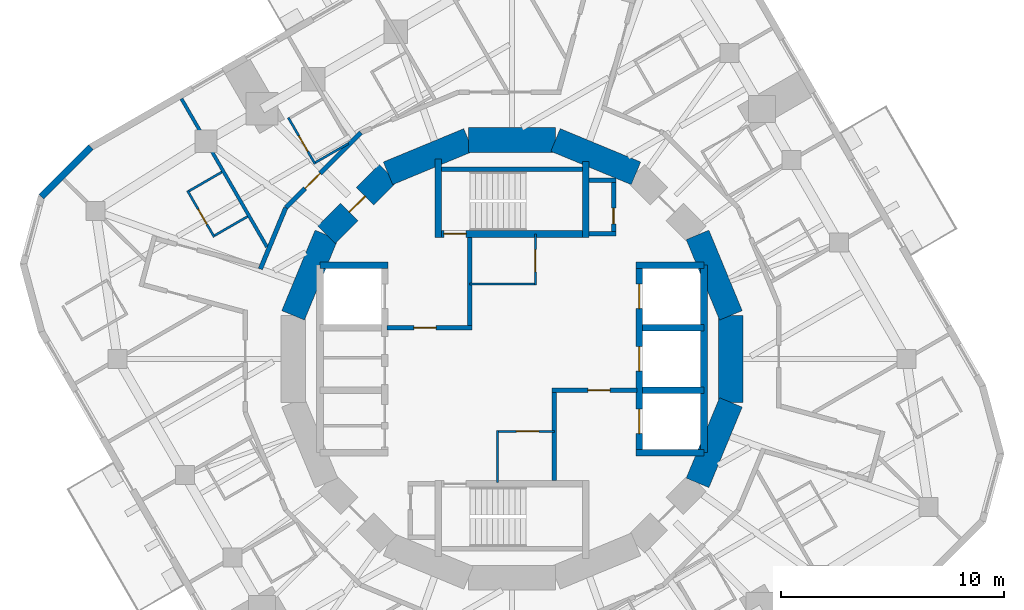
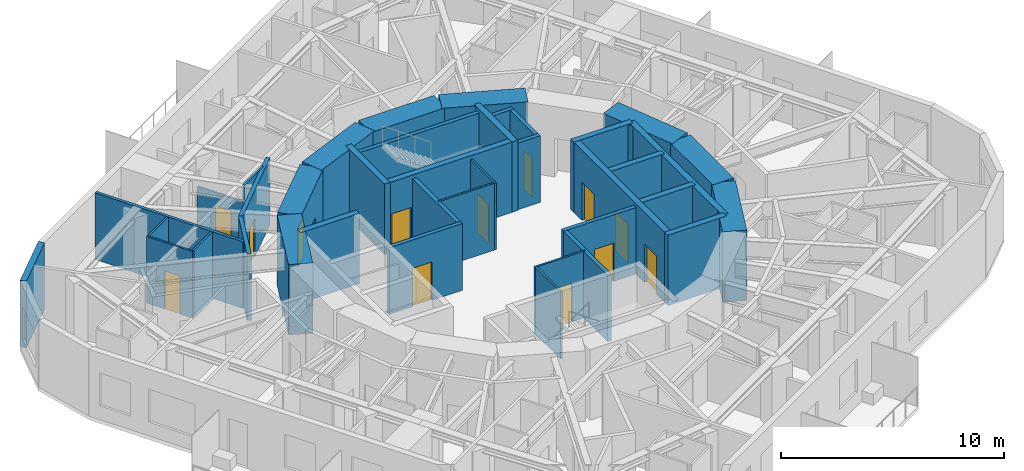
# One storey, part 6 of 11: 39 walls, 13 doors, 13 openings.
"""IFC4 building model written with IfcOpenShell, lengths in metres."""

import ifcopenshell
import ifcopenshell.guid

model = None  # the IFC model being written
_history = None  # IfcOwnerHistory: only IFC2X3 demands one
_inside = {}  # id of a spatial element -> (the spatial element, [elements in it])
_under = {}  # id of a project, library or spatial element -> (it, [spatial elements below it])
_declared = {}  # id of a project -> (the project, [libraries it declares])
_typed = {}  # id of a type object -> (the type object, [elements of that type])
_made_of = {}  # id of a material, layer set ... -> (it, [elements and type objects made of it])


def new_model(schema):
    """Start an empty IFC model of exactly this schema.

    Asked for "IFC4X3", IfcOpenShell would pick the latest addendum, in which some entities
    have other attributes; the version numbers below select the first issue.
    IFC2X3 requires an IfcOwnerHistory on every rooted entity: one is made here for all.
    """
    global model, _history
    if schema == "IFC4X3":
        model = ifcopenshell.file(schema_version=(4, 3, 0, 0))
    else:
        model = ifcopenshell.file(schema=schema)
    _inside.clear()
    _under.clear()
    _declared.clear()
    _typed.clear()
    _made_of.clear()
    _history = None
    if model.schema == "IFC2X3":
        org = make("IfcOrganization", Name="unknown")
        user = make(
            "IfcPersonAndOrganization",
            ThePerson=make("IfcPerson", FamilyName="unknown"),
            TheOrganization=org,
        )
        app = make(
            "IfcApplication",
            ApplicationDeveloper=org,
            Version="unknown",
            ApplicationFullName="unknown",
            ApplicationIdentifier="unknown",
        )
        _history = make(
            "IfcOwnerHistory",
            OwningUser=user,
            OwningApplication=app,
            ChangeAction="ADDED",
            CreationDate=0,
        )
    return model


def make(cls, **values):
    """One entity of the class cls with the attributes given. An attribute that is None is left unset."""
    return model.create_entity(
        cls, **{name: value for name, value in values.items() if value is not None}
    )


def rooted(cls, **values):
    """An entity with a GlobalId (a new one), such as an element, a storey or a relation."""
    return make(cls, GlobalId=ifcopenshell.guid.new(), OwnerHistory=_history, **values)


def si_unit(unit_type, name, prefix=None):
    """IfcSIUnit, for example si_unit("LENGTHUNIT", "METRE", prefix="MILLI")."""
    return make("IfcSIUnit", UnitType=unit_type, Prefix=prefix, Name=name)


def assignment(units):
    """IfcUnitAssignment: the units of a project."""
    return None if units is None else make("IfcUnitAssignment", Units=units)


def point(xyz):
    """IfcCartesianPoint."""
    return None if xyz is None else make("IfcCartesianPoint", Coordinates=xyz)


def direction(xyz):
    """IfcDirection."""
    return None if xyz is None else make("IfcDirection", DirectionRatios=xyz)


def frame(location, z_axis=None, x_axis=None):
    """IfcAxis2Placement3D, a coordinate frame: its origin and axes. An axis left out is left unset."""
    return make(
        "IfcAxis2Placement3D",
        Location=point(location),
        Axis=direction(z_axis),
        RefDirection=direction(x_axis),
    )


def frame_2d(location, x_axis=None):
    """IfcAxis2Placement2D, a coordinate frame in the plane: its origin and x axis."""
    return make(
        "IfcAxis2Placement2D", Location=point(location), RefDirection=direction(x_axis)
    )


def origin():
    """The frame at (0, 0, 0) with its axes left unset."""
    return frame((0.0, 0.0, 0.0))


def place(relative_to, where):
    """IfcLocalPlacement: puts the frame where relative to a parent placement (None: the world)."""
    return make(
        "IfcLocalPlacement", PlacementRelTo=relative_to, RelativePlacement=where
    )


def context(
    kind, dimensions, precision=None, world=None, true_north=None, identifier=None
):
    """IfcGeometricRepresentationContext, for example the 3D "Model" context."""
    return make(
        "IfcGeometricRepresentationContext",
        ContextIdentifier=identifier,
        ContextType=kind,
        CoordinateSpaceDimension=dimensions,
        Precision=precision,
        WorldCoordinateSystem=world,
        TrueNorth=true_north,
    )


def subcontext(parent, identifier, kind, view, scale=None):
    """IfcGeometricRepresentationSubContext, for example "Body" below "Model"."""
    return make(
        "IfcGeometricRepresentationSubContext",
        ContextIdentifier=identifier,
        ContextType=kind,
        ParentContext=parent,
        TargetScale=scale,
        TargetView=view,
    )


def project(units=None, contexts=None):
    """IfcProject with its units and contexts."""
    return rooted(
        "IfcProject",
        Name="project",
        RepresentationContexts=contexts,
        UnitsInContext=assignment(units),
    )


def spatial(cls, under=None, at=None, **own):
    """A site, building, storey or space (cls), placed at a placement, below another one or the project."""
    s = rooted(cls, ObjectPlacement=at, **own)
    if under is not None:
        _under.setdefault(under.id(), (under, []))[1].append(s)
    return s


def profile(cls, at=None, kind="AREA", **sizes):
    """A parametric profile (cls). Its sizes go by their IFC names, for example OverallWidth=200.0."""
    return make(cls, ProfileType=kind, Position=at, **sizes)


def rectangle(**sizes):
    """IfcRectangleProfileDef."""
    return profile("IfcRectangleProfileDef", **sizes)


def extrude(swept, where, along, depth):
    """IfcExtrudedAreaSolid: the profile swept, set in the frame where, extruded along a direction by depth."""
    return make(
        "IfcExtrudedAreaSolid",
        SweptArea=swept,
        Position=where,
        ExtrudedDirection=direction(along),
        Depth=depth,
    )


def shape(context_of_items, identifier, shape_type, items):
    """IfcShapeRepresentation: the items that make up one representation, for example the "Body"."""
    return make(
        "IfcShapeRepresentation",
        ContextOfItems=context_of_items,
        RepresentationIdentifier=identifier,
        RepresentationType=shape_type,
        Items=items,
    )


def material(Name=None, Category=None):
    """IfcMaterial."""
    return make("IfcMaterial", Name=Name, Category=Category)


def layer(
    of_material, thickness, ventilated=None, Name=None, Category=None, Priority=None
):
    """IfcMaterialLayer: one layer of a wall or slab, of a material (None: an air gap)."""
    return make(
        "IfcMaterialLayer",
        Material=of_material,
        LayerThickness=thickness,
        IsVentilated=ventilated,
        Name=Name,
        Category=Category,
        Priority=Priority,
    )


def layer_set(layers, Name=None):
    """IfcMaterialLayerSet."""
    return make("IfcMaterialLayerSet", MaterialLayers=layers, LayerSetName=Name)


def made_of(thing, what):
    """Note that an element or type object is made of a material, layer set ...; save() writes the relation."""
    if what is not None:
        _made_of.setdefault(what.id(), (what, []))[1].append(thing)
    return thing


def type_object(cls, material=None, **own):
    """A type object (cls), such as IfcWallType, which elements share."""
    return made_of(rooted(cls, **own), material)


def element(
    cls,
    number,
    at=None,
    inside=None,
    cuts=None,
    type_object=None,
    material=None,
    context=None,
    identifier="Body",
    shape_type=None,
    held_by="IfcProductDefinitionShape",
    body=None,
    shapes=None,
    **own,
):
    """One element of the class cls, such as IfcWall. Its Tag is "e" and its number.

    at: its placement. inside: the storey or other place that contains it. cuts: it is an
    opening in that element (IfcRelVoidsElement). A single representation is given by context,
    identifier, shape_type and body (its items); several are given by shapes. held_by: the class
    of the entity that holds the representations. save() writes the other relations.
    """
    e = rooted(cls, Tag="e%d" % number, ObjectPlacement=at, **own)
    if body is not None:
        shapes = [shape(context, identifier, shape_type, body)]
    if shapes is not None:
        e.Representation = make(held_by, Representations=shapes)
    if inside is not None:
        _inside.setdefault(inside.id(), (inside, []))[1].append(e)
    if cuts is not None:
        rooted(
            "IfcRelVoidsElement", RelatingBuildingElement=cuts, RelatedOpeningElement=e
        )
    if type_object is not None:
        _typed.setdefault(type_object.id(), (type_object, []))[1].append(e)
    return made_of(e, material)


def fill(opening, filler):
    """IfcRelFillsElement: the door or window that sits in an opening."""
    return rooted(
        "IfcRelFillsElement",
        RelatingOpeningElement=opening,
        RelatedBuildingElement=filler,
    )


def aggregate(whole, parts):
    """IfcRelAggregates: a whole, such as a stair, and the parts it consists of."""
    return rooted("IfcRelAggregates", RelatingObject=whole, RelatedObjects=parts)


def save(model, path):
    """Write the relations noted so far, then the file.

    IfcRelAggregates (storeys below a building ...), IfcRelContainedInSpatialStructure (elements
    in a storey), IfcRelDefinesByType, IfcRelAssociatesMaterial and IfcRelDeclares: one each for
    every whole, place, type object, material and project.
    """
    for whole, parts in _under.values():
        aggregate(whole, parts)
    for where, things in _inside.values():
        rooted(
            "IfcRelContainedInSpatialStructure",
            RelatedElements=things,
            RelatingStructure=where,
        )
    for kind, things in _typed.values():
        rooted("IfcRelDefinesByType", RelatedObjects=things, RelatingType=kind)
    for what, things in _made_of.values():
        rooted("IfcRelAssociatesMaterial", RelatedObjects=things, RelatingMaterial=what)
    for by, libraries in _declared.values():
        rooted("IfcRelDeclares", RelatingContext=by, RelatedDefinitions=libraries)
    model.write(path)


model = new_model("IFC4")

# Units and contexts
model_context = context("Model", 3, precision=1e-05, world=origin(), true_north=direction((0.0, 1.0)))
body_context = subcontext(model_context, "Body", "Model", "MODEL_VIEW")
ifc_project = project(units=[si_unit("LENGTHUNIT", "METRE"), si_unit("AREAUNIT", "SQUARE_METRE"), si_unit("VOLUMEUNIT", "CUBIC_METRE"), si_unit("PLANEANGLEUNIT", "RADIAN"), si_unit("MASSUNIT", "GRAM", prefix="KILO")], contexts=[model_context])

# Site, building, storey
site_placement = place(None, origin())
site = spatial("IfcSite", under=ifc_project, at=site_placement, CompositionType="ELEMENT")
building_placement = place(site_placement, origin())
building = spatial("IfcBuilding", under=site, at=building_placement, Name="Nakasero Lantern House", CompositionType="ELEMENT")
storey_placement = place(building_placement, frame((0.0, 0.0, 253.89990234375)))
storey = spatial("IfcBuildingStorey", under=building, at=storey_placement, Name="L62", CompositionType="ELEMENT", Elevation=253.89990234375)

# Wall, openings, doors
ifc_material_1 = material(Name="Concrete C50/60", Category="concrete")
ifc_layer_1 = layer(ifc_material_1, 0.300048828125)
ifc_layer_set_1 = layer_set([ifc_layer_1], Name="Core inner wall 300")
wall_type_1 = type_object("IfcWallType", Name="Core inner wall 300", PredefinedType="SHEAR", material=ifc_layer_set_1)
wall_1_placement = place(storey_placement, frame((5.699951171875, -4.199951171875, 0.0), z_axis=(0.0, 0.0, 1.0), x_axis=(0.0, 1.0, 0.0)))
wall_1 = element("IfcWall", 1, at=wall_1_placement, inside=storey, type_object=wall_type_1, Name="Core inner wall L62 LE", PredefinedType="SHEAR", context=body_context, shape_type="SweptSolid", body=[
    extrude(rectangle(XDim=8.39990234375, YDim=0.300048828125, at=frame_2d((4.199951171875, 0.0))), origin(), (0.0, 0.0, 1.0), 3.85009765625),
])
opening_1_placement = place(wall_1_placement, frame((0.85009765625, 0.0, 0.0)))
opening_1 = element("IfcOpeningElement", 2, at=opening_1_placement, cuts=wall_1, Name="Opening LD", PredefinedType="OPENING", context=body_context, shape_type="SweptSolid", body=[
    extrude(rectangle(XDim=1.10009765625, YDim=2.10009765625, at=frame_2d((0.550048828125, 1.050048828125))), frame((0.0, 0.169921875, 0.0), z_axis=(0.0, -1.0, 0.0), x_axis=(1.0, 0.0, 0.0)), (0.0, 0.0, 1.0), 0.340087890625),
])
opening_2_placement = place(wall_1_placement, frame((3.64990234375, 0.0, 0.0)))
opening_2 = element("IfcOpeningElement", 3, at=opening_2_placement, cuts=wall_1, Name="Opening LD", PredefinedType="OPENING", context=body_context, shape_type="SweptSolid", body=[
    extrude(rectangle(XDim=1.10009765625, YDim=2.10009765625, at=frame_2d((0.550048828125, 1.050048828125))), frame((0.0, 0.169921875, 0.0), z_axis=(0.0, -1.0, 0.0), x_axis=(1.0, 0.0, 0.0)), (0.0, 0.0, 1.0), 0.340087890625),
])
opening_3_placement = place(wall_1_placement, frame((6.449951171875, 0.0, 0.0)))
opening_3 = element("IfcOpeningElement", 4, at=opening_3_placement, cuts=wall_1, Name="Opening LD", PredefinedType="OPENING", context=body_context, shape_type="SweptSolid", body=[
    extrude(rectangle(XDim=1.10009765625, YDim=2.10009765625, at=frame_2d((0.550048828125, 1.050048828125))), frame((0.0, 0.169921875, 0.0), z_axis=(0.0, -1.0, 0.0), x_axis=(1.0, 0.0, 0.0)), (0.0, 0.0, 1.0), 0.340087890625),
])
ifc_material_2 = material(Name="Steel S355", Category="steel")
door_type_1 = type_object("IfcDoorType", Name="Lift landing door E120 1100", OperationType="SLIDING_TO_LEFT", PredefinedType="DOOR", material=ifc_material_2)
door_1_placement = place(opening_1_placement, origin())
door_1 = element("IfcDoor", 5, at=door_1_placement, inside=storey, type_object=door_type_1, Name="Lift landing door LE1", OperationType="SLIDING_TO_LEFT", OverallHeight=2.10009765625, OverallWidth=1.10009765625, PredefinedType="DOOR", context=body_context, shape_type="SweptSolid", body=[
    extrude(rectangle(XDim=1.10009765625, YDim=2.10009765625, at=frame_2d((0.550048828125, 1.050048828125))), frame((0.0, 0.02490234375, 0.0), z_axis=(0.0, -1.0, 0.0), x_axis=(1.0, 0.0, 0.0)), (0.0, 0.0, 1.0), 0.050048828125),
])
fill(opening_1, door_1)
door_2_placement = place(opening_2_placement, origin())
door_2 = element("IfcDoor", 6, at=door_2_placement, inside=storey, type_object=door_type_1, Name="Lift landing door LE2", OperationType="SLIDING_TO_LEFT", OverallHeight=2.10009765625, OverallWidth=1.10009765625, PredefinedType="DOOR", context=body_context, shape_type="SweptSolid", body=[
    extrude(rectangle(XDim=1.10009765625, YDim=2.10009765625, at=frame_2d((0.550048828125, 1.050048828125))), frame((0.0, 0.02490234375, 0.0), z_axis=(0.0, -1.0, 0.0), x_axis=(1.0, 0.0, 0.0)), (0.0, 0.0, 1.0), 0.050048828125),
])
fill(opening_2, door_2)
door_3_placement = place(opening_3_placement, origin())
door_3 = element("IfcDoor", 7, at=door_3_placement, inside=storey, type_object=door_type_1, Name="Lift landing door LE3", OperationType="SLIDING_TO_LEFT", OverallHeight=2.10009765625, OverallWidth=1.10009765625, PredefinedType="DOOR", context=body_context, shape_type="SweptSolid", body=[
    extrude(rectangle(XDim=1.10009765625, YDim=2.10009765625, at=frame_2d((0.550048828125, 1.050048828125))), frame((0.0, 0.02490234375, 0.0), z_axis=(0.0, -1.0, 0.0), x_axis=(1.0, 0.0, 0.0)), (0.0, 0.0, 1.0), 0.050048828125),
])
fill(opening_3, door_3)

# Walls
for number, where, z_axis, x_axis, name in (
    (8, (-8.60009765625, 4.199951171875, 0.0), (0.0, 0.0, 1.0), (1.0, 0.0, 0.0), "Core inner wall L62 LWN"),
    (9, (5.550048828125, 4.199951171875, 0.0), (0.0, 0.0, 1.0), (1.0, 0.0, 0.0), "Core inner wall L62 LEN"),
    (10, (5.550048828125, -4.199951171875, 0.0), (0.0, 0.0, 1.0), (1.0, 0.0, 0.0), "Core inner wall L62 LES"),
):
    element("IfcWall", number, at=place(storey_placement, frame(where, z_axis=z_axis, x_axis=x_axis)), inside=storey, type_object=wall_type_1, Name=name, PredefinedType="SHEAR", context=body_context, shape_type="SweptSolid", body=[
        extrude(rectangle(XDim=3.050048828125, YDim=0.300048828125, at=frame_2d((1.52490234375, 0.0))), origin(), (0.0, 0.0, 1.0), 3.85009765625),
    ])
wall_2_placement = place(storey_placement, frame((8.60009765625, -4.199951171875, 0.0), z_axis=(0.0, 0.0, 1.0), x_axis=(0.0, 1.0, 0.0)))
element("IfcWall", 11, at=wall_2_placement, inside=storey, type_object=wall_type_1, Name="Core inner wall L62 LEB", PredefinedType="SHEAR", context=body_context, shape_type="SweptSolid", body=[
    extrude(rectangle(XDim=8.39990234375, YDim=0.300048828125, at=frame_2d((4.199951171875, 0.0))), origin(), (0.0, 0.0, 1.0), 3.85009765625),
])
for number, where, z_axis, x_axis, name in (
    (12, (5.85009765625, -1.39990234375, 0.0), (0.0, 0.0, 1.0), (1.0, 0.0, 0.0), "Core inner wall L62 LE1"),
    (13, (5.85009765625, 1.39990234375, 0.0), (0.0, 0.0, 1.0), (1.0, 0.0, 0.0), "Core inner wall L62 LE2"),
):
    element("IfcWall", number, at=place(storey_placement, frame(where, z_axis=z_axis, x_axis=x_axis)), inside=storey, type_object=wall_type_1, Name=name, PredefinedType="SHEAR", context=body_context, shape_type="SweptSolid", body=[
        extrude(rectangle(XDim=2.75, YDim=0.300048828125, at=frame_2d((1.375, 0.0))), origin(), (0.0, 0.0, 1.0), 3.85009765625),
    ])

# Wall, opening, door
wall_3_placement = place(storey_placement, frame((-3.449951171875, 5.60009765625, 0.0), z_axis=(0.0, 0.0, 1.0), x_axis=(1.0, 0.0, 0.0)))
wall_3 = element("IfcWall", 14, at=wall_3_placement, inside=storey, type_object=wall_type_1, Name="Core inner wall L62 SN", PredefinedType="SHEAR", context=body_context, shape_type="SweptSolid", body=[
    extrude(rectangle(XDim=6.89990234375, YDim=0.300048828125, at=frame_2d((3.449951171875, 0.0))), origin(), (0.0, 0.0, 1.0), 3.85009765625),
])
opening_4_placement = place(wall_3_placement, frame((0.39990234375, 0.0, 0.0)))
opening_4 = element("IfcOpeningElement", 15, at=opening_4_placement, cuts=wall_3, Name="Opening D05", PredefinedType="OPENING", context=body_context, shape_type="SweptSolid", body=[
    extrude(rectangle(XDim=1.0, YDim=2.10009765625, at=frame_2d((0.5, 1.050048828125))), frame((0.0, 0.169921875, 0.0), z_axis=(0.0, -1.0, 0.0), x_axis=(1.0, 0.0, 0.0)), (0.0, 0.0, 1.0), 0.340087890625),
])
ifc_material_3 = material(Name="Timber C24", Category="wood")
door_type_2 = type_object("IfcDoorType", Name="Core door FD60S 1000", OperationType="SINGLE_SWING_LEFT", PredefinedType="DOOR", material=ifc_material_3)
door_4_placement = place(opening_4_placement, origin())
door_4 = element("IfcDoor", 16, at=door_4_placement, inside=storey, type_object=door_type_2, Name="Door L62 D-ST1", OperationType="SINGLE_SWING_LEFT", OverallHeight=2.10009765625, OverallWidth=1.0, PredefinedType="DOOR", context=body_context, shape_type="SweptSolid", body=[
    extrude(rectangle(XDim=1.0, YDim=2.10009765625, at=frame_2d((0.5, 1.050048828125))), frame((0.0, 0.02490234375, 0.0), z_axis=(0.0, -1.0, 0.0), x_axis=(1.0, 0.0, 0.0)), (0.0, 0.0, 1.0), 0.050048828125),
])
fill(opening_4, door_4)

# Walls
wall_4_placement = place(storey_placement, frame((-3.300048828125, 5.449951171875, 0.0), z_axis=(0.0, 0.0, 1.0), x_axis=(0.0, 1.0, 0.0)))
element("IfcWall", 17, at=wall_4_placement, inside=storey, type_object=wall_type_1, Name="Core inner wall L62 SNW", PredefinedType="SHEAR", context=body_context, shape_type="SweptSolid", body=[
    extrude(rectangle(XDim=3.5, YDim=0.300048828125, at=frame_2d((1.75, 0.0))), origin(), (0.0, 0.0, 1.0), 3.85009765625),
])
wall_5_placement = place(storey_placement, frame((3.300048828125, 5.449951171875, 0.0), z_axis=(0.0, 0.0, 1.0), x_axis=(0.0, 1.0, 0.0)))
element("IfcWall", 18, at=wall_5_placement, inside=storey, type_object=wall_type_1, Name="Core inner wall L62 SNE", PredefinedType="SHEAR", context=body_context, shape_type="SweptSolid", body=[
    extrude(rectangle(XDim=3.400146484375, YDim=0.300048828125, at=frame_2d((1.7001953125, 0.0))), origin(), (0.0, 0.0, 1.0), 3.85009765625),
])
ifc_material_4 = material(Name="Blockwork", Category="masonry")
ifc_layer_2 = layer(ifc_material_4, 0.10009765625)
ifc_layer_set_2 = layer_set([ifc_layer_2], Name="Core room wall 100")
wall_type_2 = type_object("IfcWallType", Name="Core room wall 100", PredefinedType="PARTITIONING", material=ifc_layer_set_2)
wall_6_placement = place(storey_placement, frame((-1.89990234375, 3.35009765625, 0.0), z_axis=(0.0, 0.0, 1.0), x_axis=(1.0, 0.0, 0.0)))
element("IfcWall", 19, at=wall_6_placement, inside=storey, type_object=wall_type_2, Name="Core room wall L62 CR-NES", PredefinedType="PARTITIONING", context=body_context, shape_type="SweptSolid", body=[
    extrude(rectangle(XDim=3.0, YDim=0.10009765625, at=frame_2d((1.5, 0.0))), origin(), (0.0, 0.0, 1.0), 3.650146484375),
])

# Wall, opening, door
wall_7_placement = place(storey_placement, frame((1.050048828125, 3.300048828125, 0.0), z_axis=(0.0, 0.0, 1.0), x_axis=(0.0, 1.0, 0.0)))
wall_7 = element("IfcWall", 20, at=wall_7_placement, inside=storey, type_object=wall_type_2, Name="Core room wall L62 CR-NEE", PredefinedType="PARTITIONING", context=body_context, shape_type="SweptSolid", body=[
    extrude(rectangle(XDim=2.300048828125, YDim=0.10009765625, at=frame_2d((1.14990234375, 0.0))), origin(), (0.0, 0.0, 1.0), 3.650146484375),
])
opening_5_placement = place(wall_7_placement, frame((0.60009765625, 0.0, 0.0)))
opening_5 = element("IfcOpeningElement", 21, at=opening_5_placement, cuts=wall_7, Name="Opening D13", PredefinedType="OPENING", context=body_context, shape_type="SweptSolid", body=[
    extrude(rectangle(XDim=1.0, YDim=2.10009765625, at=frame_2d((0.5, 1.050048828125))), frame((0.0, 0.070068359375, 0.0), z_axis=(0.0, -1.0, 0.0), x_axis=(1.0, 0.0, 0.0)), (0.0, 0.0, 1.0), 0.14013671875),
])
ifc_material_5 = material(Name="Steel S355", Category="steel")
door_type_3 = type_object("IfcDoorType", Name="Plant room door FD60 1000", OperationType="SINGLE_SWING_LEFT", PredefinedType="DOOR", material=ifc_material_5)
door_5_placement = place(opening_5_placement, origin())
door_5 = element("IfcDoor", 22, at=door_5_placement, inside=storey, type_object=door_type_3, Name="Door L62 D-CR-NE", OperationType="SINGLE_SWING_LEFT", OverallHeight=2.10009765625, OverallWidth=1.0, PredefinedType="DOOR", context=body_context, shape_type="SweptSolid", body=[
    extrude(rectangle(XDim=1.0, YDim=2.10009765625, at=frame_2d((0.5, 1.050048828125))), frame((0.0, 0.02490234375, 0.0), z_axis=(0.0, -1.0, 0.0), x_axis=(1.0, 0.0, 0.0)), (0.0, 0.0, 1.0), 0.050048828125),
])
fill(opening_5, door_5)

wall_8_placement = place(storey_placement, frame((-0.699951171875, -3.25, 0.0), z_axis=(0.0, 0.0, 1.0), x_axis=(1.0, 0.0, 0.0)))
wall_8 = element("IfcWall", 23, at=wall_8_placement, inside=storey, type_object=wall_type_2, Name="Core room wall L62 CR-SWN", PredefinedType="PARTITIONING", context=body_context, shape_type="SweptSolid", body=[
    extrude(rectangle(XDim=2.599853515625, YDim=0.10009765625, at=frame_2d((1.2998046875, 0.0))), origin(), (0.0, 0.0, 1.0), 3.650146484375),
])
opening_6_placement = place(wall_8_placement, frame((0.89990234375, 0.0, 0.0)))
opening_6 = element("IfcOpeningElement", 24, at=opening_6_placement, cuts=wall_8, Name="Opening D07", PredefinedType="OPENING", context=body_context, shape_type="SweptSolid", body=[
    extrude(rectangle(XDim=1.0, YDim=2.10009765625, at=frame_2d((0.5, 1.050048828125))), frame((0.0, 0.070068359375, 0.0), z_axis=(0.0, -1.0, 0.0), x_axis=(1.0, 0.0, 0.0)), (0.0, 0.0, 1.0), 0.14013671875),
])
ifc_material_6 = material(Name="Timber C24", Category="wood")
door_type_4 = type_object("IfcDoorType", Name="Room door FD30S 1000", OperationType="SINGLE_SWING_LEFT", PredefinedType="DOOR", material=ifc_material_6)
door_6_placement = place(opening_6_placement, origin())
door_6 = element("IfcDoor", 25, at=door_6_placement, inside=storey, type_object=door_type_4, Name="Door L62 D-CR-SW", OperationType="SINGLE_SWING_RIGHT", OverallHeight=2.10009765625, OverallWidth=1.0, PredefinedType="DOOR", context=body_context, shape_type="SweptSolid", body=[
    extrude(rectangle(XDim=1.0, YDim=2.10009765625, at=frame_2d((0.5, 1.050048828125))), frame((0.0, 0.02490234375, 0.0), z_axis=(0.0, -1.0, 0.0), x_axis=(1.0, 0.0, 0.0)), (0.0, 0.0, 1.0), 0.050048828125),
])
fill(opening_6, door_6)

# Walls
wall_9_placement = place(storey_placement, frame((-0.64990234375, -5.550048828125, 0.0), z_axis=(0.0, 0.0, 1.0), x_axis=(0.0, 1.0, 0.0)))
element("IfcWall", 26, at=wall_9_placement, inside=storey, type_object=wall_type_2, Name="Core room wall L62 CR-SWW", PredefinedType="PARTITIONING", context=body_context, shape_type="SweptSolid", body=[
    extrude(rectangle(XDim=2.35009765625, YDim=0.10009765625, at=frame_2d((1.175048828125, 0.0))), origin(), (0.0, 0.0, 1.0), 3.650146484375),
])
ifc_material_7 = material(Name="Concrete C50/60", Category="concrete")
ifc_layer_3 = layer(ifc_material_7, 1.10009765625)
ifc_layer_set_3 = layer_set([ifc_layer_3], Name="Core wall 1100")
wall_type_3 = type_object("IfcWallType", Name="Core wall 1100", PredefinedType="SHEAR", material=ifc_layer_set_3)
for number, where, z_axis, x_axis, name in (
    (27, (9.807861328125, 1.950927734375, 0.0), (0.0, 0.0, 1.0), (-0.382690736062, 0.923876507187, 0.0), "Core wall L62 facet 1"),
    (28, (5.5556640625, 8.314697265625, 0.0), (0.0, 0.0, 1.0), (-0.923876507187, 0.382690736062, 0.0), "Core wall L62 facet 3"),
    (29, (1.950927734375, 9.807861328125, 0.0), (0.0, 0.0, 1.0), (-1.0, 0.0, 0.0), "Core wall L62 facet 4"),
    (30, (-1.950927734375, 9.807861328125, 0.0), (0.0, 0.0, 1.0), (-0.923876507187, -0.382690736062, 0.0), "Core wall L62 facet 5"),
):
    element("IfcWall", number, at=place(storey_placement, frame(where, z_axis=z_axis, x_axis=x_axis)), inside=storey, type_object=wall_type_3, Name=name, PredefinedType="SHEAR", context=body_context, shape_type="SweptSolid", body=[
        extrude(rectangle(XDim=3.90185546875, YDim=1.10009765625, at=frame_2d((1.950927734375, 0.0))), origin(), (0.0, 0.0, 1.0), 3.85009765625),
    ])

# Wall, opening, door
wall_10_placement = place(storey_placement, frame((-5.5556640625, 8.314697265625, 0.0), z_axis=(0.0, 0.0, 1.0), x_axis=(-0.707106781187, -0.707106781187, 0.0)))
wall_10 = element("IfcWall", 31, at=wall_10_placement, inside=storey, type_object=wall_type_3, Name="Core wall L62 facet 6", PredefinedType="SHEAR", context=body_context, shape_type="SweptSolid", body=[
    extrude(rectangle(XDim=3.90185546875, YDim=1.10009765625, at=frame_2d((1.950927734375, 0.0))), origin(), (0.0, 0.0, 1.0), 3.85009765625),
])
opening_7_placement = place(wall_10_placement, frame((1.450927734375, 0.0, 0.0)))
opening_7 = element("IfcOpeningElement", 32, at=opening_7_placement, cuts=wall_10, Name="Opening D05", PredefinedType="OPENING", context=body_context, shape_type="SweptSolid", body=[
    extrude(rectangle(XDim=1.0, YDim=2.10009765625, at=frame_2d((0.5, 1.050048828125))), frame((0.0, 0.570068359375, 0.0), z_axis=(0.0, -1.0, 0.0), x_axis=(1.0, 0.0, 0.0)), (0.0, 0.0, 1.0), 1.14013671875),
])
door_7_placement = place(opening_7_placement, origin())
door_7 = element("IfcDoor", 33, at=door_7_placement, inside=storey, type_object=door_type_2, Name="Door L62 D-CORE06", OperationType="SINGLE_SWING_LEFT", OverallHeight=2.10009765625, OverallWidth=1.0, PredefinedType="DOOR", context=body_context, shape_type="SweptSolid", body=[
    extrude(rectangle(XDim=1.0, YDim=2.10009765625, at=frame_2d((0.5, 1.050048828125))), frame((0.0, 0.02490234375, 0.0), z_axis=(0.0, -1.0, 0.0), x_axis=(1.0, 0.0, 0.0)), (0.0, 0.0, 1.0), 0.050048828125),
])
fill(opening_7, door_7)

# Walls
for number, where, z_axis, x_axis, name in (
    (34, (-8.314697265625, 5.5556640625, 0.0), (0.0, 0.0, 1.0), (-0.382690736062, -0.923876507187, 0.0), "Core wall L62 facet 7"),
    (35, (8.314697265625, -5.5556640625, 0.0), (0.0, 0.0, 1.0), (0.382690736062, 0.923876507187, 0.0), "Core wall L62 facet 15"),
    (36, (9.807861328125, -1.950927734375, 0.0), (0.0, 0.0, 1.0), (0.0, 1.0, 0.0), "Core wall L62 facet 16"),
):
    element("IfcWall", number, at=place(storey_placement, frame(where, z_axis=z_axis, x_axis=x_axis)), inside=storey, type_object=wall_type_3, Name=name, PredefinedType="SHEAR", context=body_context, shape_type="SweptSolid", body=[
        extrude(rectangle(XDim=3.90185546875, YDim=1.10009765625, at=frame_2d((1.950927734375, 0.0))), origin(), (0.0, 0.0, 1.0), 3.85009765625),
    ])
ifc_material_8 = material(Name="Blockwork", Category="masonry")
ifc_layer_4 = layer(ifc_material_8, 0.199951171875)
ifc_layer_set_4 = layer_set([ifc_layer_4], Name="Corridor wall 200")
wall_type_4 = type_object("IfcWallType", Name="Corridor wall 200", PredefinedType="PARTITIONING", material=ifc_layer_set_4)
wall_11_placement = place(storey_placement, frame((-11.275634765625, 4.025634765625, 0.0), z_axis=(0.0, 0.0, 1.0), x_axis=(0.382656259044, 0.923890787601, 0.0)))
element("IfcWall", 37, at=wall_11_placement, inside=storey, type_object=wall_type_4, Name="Corridor wall L62 RC09a", PredefinedType="PARTITIONING", context=body_context, shape_type="SweptSolid", body=[
    extrude(rectangle(XDim=2.974365234375, YDim=0.199951171875, at=frame_2d((1.4873046875, 0.0))), origin(), (0.0, 0.0, 1.0), 3.650146484375),
])

# Wall, opening, door
wall_12_placement = place(storey_placement, frame((-10.137451171875, 6.773681640625, 0.0), z_axis=(0.0, 0.0, 1.0), x_axis=(0.707106781187, 0.707106781187, 0.0)))
wall_12 = element("IfcWall", 38, at=wall_12_placement, inside=storey, type_object=wall_type_4, Name="Corridor wall L62 RC10a", PredefinedType="PARTITIONING", context=body_context, shape_type="SweptSolid", body=[
    extrude(rectangle(XDim=4.757080078125, YDim=0.199951171875, at=frame_2d((2.37841796875, 0.0))), origin(), (0.0, 0.0, 1.0), 3.650146484375),
])
opening_8_placement = place(wall_12_placement, frame((1.219970703125, 0.0, 0.0)))
opening_8 = element("IfcOpeningElement", 39, at=opening_8_placement, cuts=wall_12, Name="Opening D01", PredefinedType="OPENING", context=body_context, shape_type="SweptSolid", body=[
    extrude(rectangle(XDim=0.949951171875, YDim=2.10009765625, at=frame_2d((0.47509765625, 1.050048828125))), frame((0.0, 0.119873046875, 0.0), z_axis=(0.0, -1.0, 0.0), x_axis=(1.0, 0.0, 0.0)), (0.0, 0.0, 1.0), 0.239990234375),
])
ifc_material_9 = material(Name="Timber C24", Category="wood")
door_type_5 = type_object("IfcDoorType", Name="Bedroom door FD30S 950", OperationType="SINGLE_SWING_LEFT", PredefinedType="DOOR", material=ifc_material_9)
door_8_placement = place(opening_8_placement, origin())
door_8 = element("IfcDoor", 40, at=door_8_placement, inside=storey, type_object=door_type_5, Name="Door L62 D1-04", OperationType="SINGLE_SWING_LEFT", OverallHeight=2.10009765625, OverallWidth=0.949951171875, PredefinedType="DOOR", context=body_context, shape_type="SweptSolid", body=[
    extrude(rectangle(XDim=0.949951171875, YDim=2.10009765625, at=frame_2d((0.47509765625, 1.050048828125))), frame((0.0, 0.02490234375, 0.0), z_axis=(0.0, -1.0, 0.0), x_axis=(1.0, 0.0, 0.0)), (0.0, 0.0, 1.0), 0.050048828125),
])
fill(opening_8, door_8)

ifc_material_10 = material(Name="Blockwork", Category="masonry")
ifc_layer_5 = layer(ifc_material_10, 0.10009765625)
ifc_layer_set_5 = layer_set([ifc_layer_5], Name="En-suite wall 100")
wall_type_5 = type_object("IfcWallType", Name="En-suite wall 100", PredefinedType="PARTITIONING", material=ifc_layer_set_5)
wall_13_placement = place(storey_placement, frame((-8.82421875, 8.732177734375, 0.0), z_axis=(0.0, 0.0, 1.0), x_axis=(-0.500001309137, 0.866024647952, 0.0)))
wall_13 = element("IfcWall", 41, at=wall_13_placement, inside=storey, type_object=wall_type_5, Name="En-suite wall L62 ES1-04", PredefinedType="PARTITIONING", context=body_context, shape_type="SweptSolid", body=[
    extrude(rectangle(XDim=2.39990234375, YDim=0.10009765625, at=frame_2d((1.199951171875, 0.0))), origin(), (0.0, 0.0, 1.0), 2.809326171875),
])
opening_9_placement = place(wall_13_placement, frame((0.64990234375, 0.0, 0.0)))
opening_9 = element("IfcOpeningElement", 42, at=opening_9_placement, cuts=wall_13, Name="Opening D02", PredefinedType="OPENING", context=body_context, shape_type="SweptSolid", body=[
    extrude(rectangle(XDim=0.800048828125, YDim=2.10009765625, at=frame_2d((0.39990234375, 1.050048828125))), frame((0.0, 0.070068359375, 0.0), z_axis=(0.0, -1.0, 0.0), x_axis=(1.0, 0.0, 0.0)), (0.0, 0.0, 1.0), 0.14013671875),
])
ifc_material_11 = material(Name="Timber C24", Category="wood")
door_type_6 = type_object("IfcDoorType", Name="En-suite door 800", OperationType="SINGLE_SWING_RIGHT", PredefinedType="DOOR", material=ifc_material_11)
door_9_placement = place(opening_9_placement, origin())
door_9 = element("IfcDoor", 43, at=door_9_placement, inside=storey, type_object=door_type_6, Name="Door L62 DE1-04", OperationType="SINGLE_SWING_LEFT", OverallHeight=2.10009765625, OverallWidth=0.800048828125, PredefinedType="DOOR", context=body_context, shape_type="SweptSolid", body=[
    extrude(rectangle(XDim=0.800048828125, YDim=2.10009765625, at=frame_2d((0.39990234375, 1.050048828125))), frame((0.0, 0.02490234375, 0.0), z_axis=(0.0, -1.0, 0.0), x_axis=(1.0, 0.0, 0.0)), (0.0, 0.0, 1.0), 0.050048828125),
])
fill(opening_9, door_9)

# Wall
wall_14_placement = place(storey_placement, frame((-7.333740234375, 9.650390625, 0.0), z_axis=(0.0, 0.0, 1.0), x_axis=(-0.86605165483, -0.499954529098, 0.0)))
element("IfcWall", 44, at=wall_14_placement, inside=storey, type_object=wall_type_5, Name="En-suite wall L62 EI1-04", PredefinedType="PARTITIONING", context=body_context, shape_type="SweptSolid", body=[
    extrude(rectangle(XDim=1.699951171875, YDim=0.10009765625, at=frame_2d((0.85009765625, 0.0))), origin(), (0.0, 0.0, 1.0), 3.650146484375),
])

# Wall, opening, door
wall_15_placement = place(storey_placement, frame((-13.342041015625, 5.46044921875, 0.0), z_axis=(0.0, 0.0, 1.0), x_axis=(-0.500033551112, 0.866006032174, 0.0)))
wall_15 = element("IfcWall", 45, at=wall_15_placement, inside=storey, type_object=wall_type_5, Name="En-suite wall L62 ES1-06", PredefinedType="PARTITIONING", context=body_context, shape_type="SweptSolid", body=[
    extrude(rectangle(XDim=2.400146484375, YDim=0.10009765625, at=frame_2d((1.2001953125, 0.0))), origin(), (0.0, 0.0, 1.0), 3.650146484375),
])
opening_10_placement = place(wall_15_placement, frame((0.64990234375, 0.0, 0.0)))
opening_10 = element("IfcOpeningElement", 46, at=opening_10_placement, cuts=wall_15, Name="Opening D02", PredefinedType="OPENING", context=body_context, shape_type="SweptSolid", body=[
    extrude(rectangle(XDim=0.800048828125, YDim=2.10009765625, at=frame_2d((0.39990234375, 1.050048828125))), frame((0.0, 0.070068359375, 0.0), z_axis=(0.0, -1.0, 0.0), x_axis=(1.0, 0.0, 0.0)), (0.0, 0.0, 1.0), 0.14013671875),
])
door_10_placement = place(opening_10_placement, origin())
door_10 = element("IfcDoor", 47, at=door_10_placement, inside=storey, type_object=door_type_6, Name="Door L62 DE1-06", OperationType="SINGLE_SWING_LEFT", OverallHeight=2.10009765625, OverallWidth=0.800048828125, PredefinedType="DOOR", context=body_context, shape_type="SweptSolid", body=[
    extrude(rectangle(XDim=0.800048828125, YDim=2.10009765625, at=frame_2d((0.39990234375, 1.050048828125))), frame((0.0, 0.02490234375, 0.0), z_axis=(0.0, -1.0, 0.0), x_axis=(1.0, 0.0, 0.0)), (0.0, 0.0, 1.0), 0.050048828125),
])
fill(opening_10, door_10)

# Walls
for number, where, z_axis, x_axis, name in (
    (48, (-13.001708984375, 8.37060546875, 0.0), (0.0, 0.0, 1.0), (-0.86605165483, -0.499954529098, 0.0), "En-suite wall L62 EE1-06"),
    (49, (-11.8515625, 6.37890625, 0.0), (0.0, 0.0, 1.0), (-0.865989465428, -0.500062241894, 0.0), "En-suite wall L62 EI1-06"),
):
    element("IfcWall", number, at=place(storey_placement, frame(where, z_axis=z_axis, x_axis=x_axis)), inside=storey, type_object=wall_type_5, Name=name, PredefinedType="PARTITIONING", context=body_context, shape_type="SweptSolid", body=[
        extrude(rectangle(XDim=1.699951171875, YDim=0.10009765625, at=frame_2d((0.85009765625, 0.0))), origin(), (0.0, 0.0, 1.0), 3.650146484375),
    ])
ifc_material_12 = material(Name="Aluminium rainscreen on blockwork", Category="masonry")
ifc_layer_6 = layer(ifc_material_12, 0.300048828125)
ifc_layer_set_6 = layer_set([ifc_layer_6], Name="Facade wall 300")
wall_type_6 = type_object("IfcWallType", Name="Facade wall 300", PredefinedType="SOLIDWALL", material=ifc_layer_set_6)
wall_16_placement = place(storey_placement, frame((-18.870849609375, 9.4853515625, 0.0), z_axis=(0.0, 0.0, 1.0), x_axis=(-0.707145758492, -0.707067801733, 0.0)))
element("IfcWall", 50, at=wall_16_placement, inside=storey, type_object=wall_type_6, Name="Facade wall L62 FW1C1", PredefinedType="SOLIDWALL", context=body_context, shape_type="SweptSolid", body=[
    extrude(rectangle(XDim=3.1318359375, YDim=0.300048828125, at=frame_2d((1.56591796875, 0.0))), origin(), (0.0, 0.0, 1.0), 3.650146484375),
])

# Wall, opening, door
ifc_material_13 = material(Name="Blockwork", Category="masonry")
ifc_layer_7 = layer(ifc_material_13, 0.199951171875)
ifc_layer_set_7 = layer_set([ifc_layer_7], Name="Fire lobby wall 200")
wall_type_7 = type_object("IfcWallType", Name="Fire lobby wall 200", PredefinedType="PARTITIONING", material=ifc_layer_set_7)
wall_17_placement = place(storey_placement, frame((-5.60009765625, 1.39990234375, 0.0), z_axis=(0.0, 0.0, 1.0), x_axis=(1.0, 0.0, 0.0)))
wall_17 = element("IfcWall", 51, at=wall_17_placement, inside=storey, type_object=wall_type_7, Name="Fire lobby wall L62 W-FL1S", PredefinedType="PARTITIONING", context=body_context, shape_type="SweptSolid", body=[
    extrude(rectangle(XDim=3.800048828125, YDim=0.199951171875, at=frame_2d((1.89990234375, 0.0))), origin(), (0.0, 0.0, 1.0), 3.650146484375),
])
opening_11_placement = place(wall_17_placement, frame((1.199951171875, 0.0, 0.0)))
opening_11 = element("IfcOpeningElement", 52, at=opening_11_placement, cuts=wall_17, Name="Opening D05", PredefinedType="OPENING", context=body_context, shape_type="SweptSolid", body=[
    extrude(rectangle(XDim=1.0, YDim=2.10009765625, at=frame_2d((0.5, 1.050048828125))), frame((0.0, 0.119873046875, 0.0), z_axis=(0.0, -1.0, 0.0), x_axis=(1.0, 0.0, 0.0)), (0.0, 0.0, 1.0), 0.239990234375),
])
door_11_placement = place(opening_11_placement, origin())
door_11 = element("IfcDoor", 53, at=door_11_placement, inside=storey, type_object=door_type_2, Name="Door L62 D-FL1", OperationType="SINGLE_SWING_LEFT", OverallHeight=2.10009765625, OverallWidth=1.0, PredefinedType="DOOR", context=body_context, shape_type="SweptSolid", body=[
    extrude(rectangle(XDim=1.0, YDim=2.10009765625, at=frame_2d((0.5, 1.050048828125))), frame((0.0, 0.02490234375, 0.0), z_axis=(0.0, -1.0, 0.0), x_axis=(1.0, 0.0, 0.0)), (0.0, 0.0, 1.0), 0.050048828125),
])
fill(opening_11, door_11)

# Wall
wall_18_placement = place(storey_placement, frame((-1.89990234375, 1.5, 0.0), z_axis=(0.0, 0.0, 1.0), x_axis=(0.0, 1.0, 0.0)))
element("IfcWall", 54, at=wall_18_placement, inside=storey, type_object=wall_type_7, Name="Fire lobby wall L62 W-FL1E", PredefinedType="PARTITIONING", context=body_context, shape_type="SweptSolid", body=[
    extrude(rectangle(XDim=3.949951171875, YDim=0.199951171875, at=frame_2d((1.97509765625, 0.0))), origin(), (0.0, 0.0, 1.0), 3.650146484375),
])

# Wall, opening, door
wall_19_placement = place(storey_placement, frame((5.60009765625, -1.39990234375, 0.0), z_axis=(0.0, 0.0, 1.0), x_axis=(-1.0, 0.0, 0.0)))
wall_19 = element("IfcWall", 55, at=wall_19_placement, inside=storey, type_object=wall_type_7, Name="Fire lobby wall L62 W-FL2N", PredefinedType="PARTITIONING", context=body_context, shape_type="SweptSolid", body=[
    extrude(rectangle(XDim=3.800048828125, YDim=0.199951171875, at=frame_2d((1.89990234375, 0.0))), origin(), (0.0, 0.0, 1.0), 3.650146484375),
])
opening_12_placement = place(wall_19_placement, frame((1.199951171875, 0.0, 0.0)))
opening_12 = element("IfcOpeningElement", 56, at=opening_12_placement, cuts=wall_19, Name="Opening D05", PredefinedType="OPENING", context=body_context, shape_type="SweptSolid", body=[
    extrude(rectangle(XDim=1.0, YDim=2.10009765625, at=frame_2d((0.5, 1.050048828125))), frame((0.0, 0.119873046875, 0.0), z_axis=(0.0, -1.0, 0.0), x_axis=(1.0, 0.0, 0.0)), (0.0, 0.0, 1.0), 0.239990234375),
])
door_12_placement = place(opening_12_placement, origin())
door_12 = element("IfcDoor", 57, at=door_12_placement, inside=storey, type_object=door_type_2, Name="Door L62 D-FL2", OperationType="SINGLE_SWING_LEFT", OverallHeight=2.10009765625, OverallWidth=1.0, PredefinedType="DOOR", context=body_context, shape_type="SweptSolid", body=[
    extrude(rectangle(XDim=1.0, YDim=2.10009765625, at=frame_2d((0.5, 1.050048828125))), frame((0.0, 0.02490234375, 0.0), z_axis=(0.0, -1.0, 0.0), x_axis=(1.0, 0.0, 0.0)), (0.0, 0.0, 1.0), 0.050048828125),
])
fill(opening_12, door_12)

# Wall
wall_20_placement = place(storey_placement, frame((1.89990234375, -1.5, 0.0), z_axis=(0.0, 0.0, 1.0), x_axis=(0.0, -1.0, 0.0)))
element("IfcWall", 58, at=wall_20_placement, inside=storey, type_object=wall_type_7, Name="Fire lobby wall L62 W-FL2W", PredefinedType="PARTITIONING", context=body_context, shape_type="SweptSolid", body=[
    extrude(rectangle(XDim=3.949951171875, YDim=0.199951171875, at=frame_2d((1.97509765625, 0.0))), origin(), (0.0, 0.0, 1.0), 3.650146484375),
])

# Wall, opening, door
wall_21_placement = place(storey_placement, frame((4.550048828125, 5.60009765625, 0.0), z_axis=(0.0, 0.0, 1.0), x_axis=(0.0, 1.0, 0.0)))
wall_21 = element("IfcWall", 59, at=wall_21_placement, inside=storey, type_object=wall_type_7, Name="Fire lobby wall L62 W-RS1E", PredefinedType="PARTITIONING", context=body_context, shape_type="SweptSolid", body=[
    extrude(rectangle(XDim=2.39990234375, YDim=0.199951171875, at=frame_2d((1.199951171875, 0.0))), origin(), (0.0, 0.0, 1.0), 3.650146484375),
])
opening_13_placement = place(wall_21_placement, frame((0.449951171875, 0.0, 0.0)))
opening_13 = element("IfcOpeningElement", 60, at=opening_13_placement, cuts=wall_21, Name="Opening D06", PredefinedType="OPENING", context=body_context, shape_type="SweptSolid", body=[
    extrude(rectangle(XDim=0.699951171875, YDim=2.10009765625, at=frame_2d((0.35009765625, 1.050048828125))), frame((0.0, 0.119873046875, 0.0), z_axis=(0.0, -1.0, 0.0), x_axis=(1.0, 0.0, 0.0)), (0.0, 0.0, 1.0), 0.239990234375),
])
ifc_material_14 = material(Name="Steel S355", Category="steel")
door_type_7 = type_object("IfcDoorType", Name="Riser door FD60 700", OperationType="SINGLE_SWING_LEFT", PredefinedType="DOOR", material=ifc_material_14)
door_13_placement = place(opening_13_placement, origin())
door_13 = element("IfcDoor", 61, at=door_13_placement, inside=storey, type_object=door_type_7, Name="Door L62 D-RS1", OperationType="SINGLE_SWING_LEFT", OverallHeight=2.10009765625, OverallWidth=0.699951171875, PredefinedType="DOOR", context=body_context, shape_type="SweptSolid", body=[
    extrude(rectangle(XDim=0.699951171875, YDim=2.10009765625, at=frame_2d((0.35009765625, 1.050048828125))), frame((0.0, 0.02490234375, 0.0), z_axis=(0.0, -1.0, 0.0), x_axis=(1.0, 0.0, 0.0)), (0.0, 0.0, 1.0), 0.050048828125),
])
fill(opening_13, door_13)

# Walls
for number, where, z_axis, x_axis, name in (
    (62, (3.449951171875, 8.0, 0.0), (0.0, 0.0, 1.0), (1.0, 0.0, 0.0), "Fire lobby wall L62 W-RS1N"),
    (63, (3.449951171875, 5.60009765625, 0.0), (0.0, 0.0, 1.0), (1.0, 0.0, 0.0), "Fire lobby wall L62 W-RS1S"),
):
    element("IfcWall", number, at=place(storey_placement, frame(where, z_axis=z_axis, x_axis=x_axis)), inside=storey, type_object=wall_type_7, Name=name, PredefinedType="PARTITIONING", context=body_context, shape_type="SweptSolid", body=[
        extrude(rectangle(XDim=1.199951171875, YDim=0.199951171875, at=frame_2d((0.60009765625, 0.0))), origin(), (0.0, 0.0, 1.0), 3.650146484375),
    ])
wall_22_placement = place(storey_placement, frame((-3.300048828125, 8.5, 0.0), z_axis=(0.0, 0.0, 1.0), x_axis=(1.0, 0.0, 0.0)))
element("IfcWall", 64, at=wall_22_placement, inside=storey, type_object=wall_type_7, Name="Fire lobby wall L62 W-STN", PredefinedType="PARTITIONING", context=body_context, shape_type="SweptSolid", body=[
    extrude(rectangle(XDim=6.60009765625, YDim=0.199951171875, at=frame_2d((3.300048828125, 0.0))), origin(), (0.0, 0.0, 1.0), 3.650146484375),
])
ifc_material_15 = material(Name="Blockwork", Category="masonry")
ifc_layer_8 = layer(ifc_material_15, 0.14990234375)
ifc_layer_set_8 = layer_set([ifc_layer_8], Name="Party wall 150")
wall_type_8 = type_object("IfcWallType", Name="Party wall 150", PredefinedType="PARTITIONING", material=ifc_layer_set_8)
wall_23_placement = place(storey_placement, frame((-10.9755859375, 5.011474609375, 0.0), z_axis=(0.0, 0.0, 1.0), x_axis=(-0.499985976588, 0.866033500054, 0.0)))
element("IfcWall", 65, at=wall_23_placement, inside=storey, type_object=wall_type_8, Name="Party wall L62 PW1-06", PredefinedType="PARTITIONING", context=body_context, shape_type="SweptSolid", body=[
    extrude(rectangle(XDim=7.672119140625, YDim=0.14990234375, at=frame_2d((3.8359375, 0.0))), origin(), (0.0, 0.0, 1.0), 3.650146484375),
])

save(model, "model.ifc")
